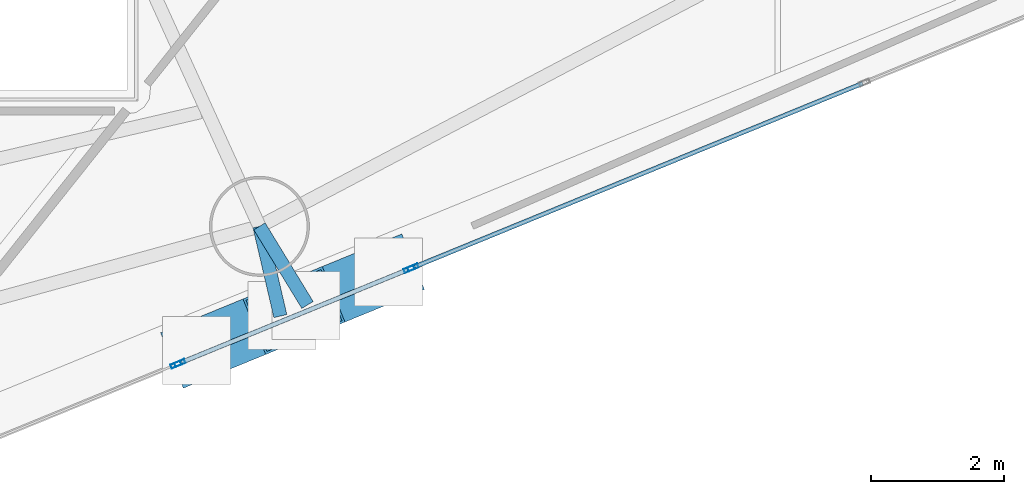
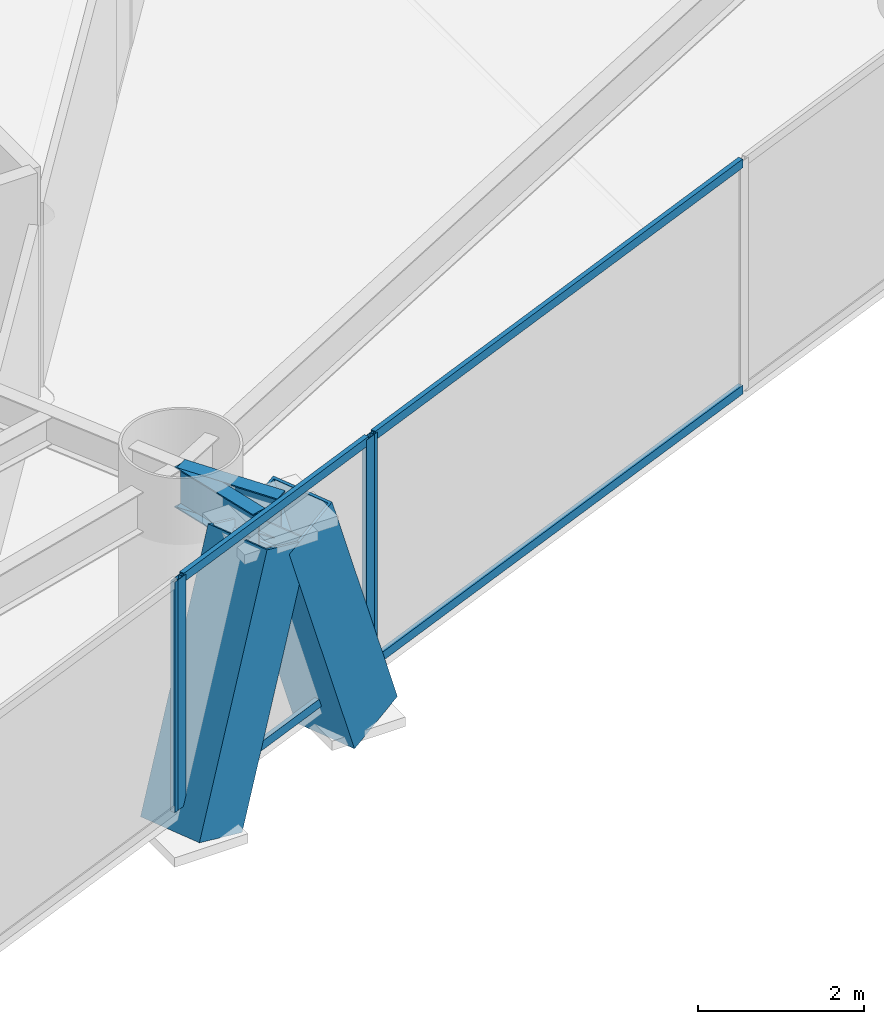
# One storey, part 4 of 22: 10 members, 2 beams, 3 elements without a shape of their own.
"""IFC4 building model written with IfcOpenShell, lengths in metres."""

import ifcopenshell
import ifcopenshell.guid

model = None  # the IFC model being written
_history = None  # IfcOwnerHistory: only IFC2X3 demands one
_inside = {}  # id of a spatial element -> (the spatial element, [elements in it])
_under = {}  # id of a project, library or spatial element -> (it, [spatial elements below it])
_declared = {}  # id of a project -> (the project, [libraries it declares])
_typed = {}  # id of a type object -> (the type object, [elements of that type])
_made_of = {}  # id of a material, layer set ... -> (it, [elements and type objects made of it])


def new_model(schema):
    """Start an empty IFC model of exactly this schema.

    Asked for "IFC4X3", IfcOpenShell would pick the latest addendum, in which some entities
    have other attributes; the version numbers below select the first issue.
    IFC2X3 requires an IfcOwnerHistory on every rooted entity: one is made here for all.
    """
    global model, _history
    if schema == "IFC4X3":
        model = ifcopenshell.file(schema_version=(4, 3, 0, 0))
    else:
        model = ifcopenshell.file(schema=schema)
    _inside.clear()
    _under.clear()
    _declared.clear()
    _typed.clear()
    _made_of.clear()
    _history = None
    if model.schema == "IFC2X3":
        org = make("IfcOrganization", Name="unknown")
        user = make(
            "IfcPersonAndOrganization",
            ThePerson=make("IfcPerson", FamilyName="unknown"),
            TheOrganization=org,
        )
        app = make(
            "IfcApplication",
            ApplicationDeveloper=org,
            Version="unknown",
            ApplicationFullName="unknown",
            ApplicationIdentifier="unknown",
        )
        _history = make(
            "IfcOwnerHistory",
            OwningUser=user,
            OwningApplication=app,
            ChangeAction="ADDED",
            CreationDate=0,
        )
    return model


def make(cls, **values):
    """One entity of the class cls with the attributes given. An attribute that is None is left unset."""
    return model.create_entity(
        cls, **{name: value for name, value in values.items() if value is not None}
    )


def rooted(cls, **values):
    """An entity with a GlobalId (a new one), such as an element, a storey or a relation."""
    return make(cls, GlobalId=ifcopenshell.guid.new(), OwnerHistory=_history, **values)


def si_unit(unit_type, name, prefix=None):
    """IfcSIUnit, for example si_unit("LENGTHUNIT", "METRE", prefix="MILLI")."""
    return make("IfcSIUnit", UnitType=unit_type, Prefix=prefix, Name=name)


def assignment(units):
    """IfcUnitAssignment: the units of a project."""
    return None if units is None else make("IfcUnitAssignment", Units=units)


def point(xyz):
    """IfcCartesianPoint."""
    return None if xyz is None else make("IfcCartesianPoint", Coordinates=xyz)


def direction(xyz):
    """IfcDirection."""
    return None if xyz is None else make("IfcDirection", DirectionRatios=xyz)


def frame(location, z_axis=None, x_axis=None):
    """IfcAxis2Placement3D, a coordinate frame: its origin and axes. An axis left out is left unset."""
    return make(
        "IfcAxis2Placement3D",
        Location=point(location),
        Axis=direction(z_axis),
        RefDirection=direction(x_axis),
    )


def frame_2d(location, x_axis=None):
    """IfcAxis2Placement2D, a coordinate frame in the plane: its origin and x axis."""
    return make(
        "IfcAxis2Placement2D", Location=point(location), RefDirection=direction(x_axis)
    )


def origin():
    """The frame at (0, 0, 0) with its axes left unset."""
    return frame((0.0, 0.0, 0.0))


def origin_2d():
    """The frame at (0, 0) in the plane with its x axis left unset."""
    return frame_2d((0.0, 0.0))


def place(relative_to, where):
    """IfcLocalPlacement: puts the frame where relative to a parent placement (None: the world)."""
    return make(
        "IfcLocalPlacement", PlacementRelTo=relative_to, RelativePlacement=where
    )


def context(
    kind, dimensions, precision=None, world=None, true_north=None, identifier=None
):
    """IfcGeometricRepresentationContext, for example the 3D "Model" context."""
    return make(
        "IfcGeometricRepresentationContext",
        ContextIdentifier=identifier,
        ContextType=kind,
        CoordinateSpaceDimension=dimensions,
        Precision=precision,
        WorldCoordinateSystem=world,
        TrueNorth=true_north,
    )


def subcontext(parent, identifier, kind, view, scale=None):
    """IfcGeometricRepresentationSubContext, for example "Body" below "Model"."""
    return make(
        "IfcGeometricRepresentationSubContext",
        ContextIdentifier=identifier,
        ContextType=kind,
        ParentContext=parent,
        TargetScale=scale,
        TargetView=view,
    )


def project(units=None, contexts=None):
    """IfcProject with its units and contexts."""
    return rooted(
        "IfcProject",
        Name="project",
        RepresentationContexts=contexts,
        UnitsInContext=assignment(units),
    )


def spatial(cls, under=None, at=None, **own):
    """A site, building, storey or space (cls), placed at a placement, below another one or the project."""
    s = rooted(cls, ObjectPlacement=at, **own)
    if under is not None:
        _under.setdefault(under.id(), (under, []))[1].append(s)
    return s


def profile(cls, at=None, kind="AREA", **sizes):
    """A parametric profile (cls). Its sizes go by their IFC names, for example OverallWidth=200.0."""
    return make(cls, ProfileType=kind, Position=at, **sizes)


def hollow_rectangle(**sizes):
    """IfcRectangleHollowProfileDef."""
    return profile("IfcRectangleHollowProfileDef", **sizes)


def i_section(**sizes):
    """IfcIShapeProfileDef."""
    return profile("IfcIShapeProfileDef", **sizes)


def extrude(swept, where, along, depth):
    """IfcExtrudedAreaSolid: the profile swept, set in the frame where, extruded along a direction by depth."""
    return make(
        "IfcExtrudedAreaSolid",
        SweptArea=swept,
        Position=where,
        ExtrudedDirection=direction(along),
        Depth=depth,
    )


def shape(context_of_items, identifier, shape_type, items):
    """IfcShapeRepresentation: the items that make up one representation, for example the "Body"."""
    return make(
        "IfcShapeRepresentation",
        ContextOfItems=context_of_items,
        RepresentationIdentifier=identifier,
        RepresentationType=shape_type,
        Items=items,
    )


def material(Name=None, Category=None):
    """IfcMaterial."""
    return make("IfcMaterial", Name=Name, Category=Category)


def layer(
    of_material, thickness, ventilated=None, Name=None, Category=None, Priority=None
):
    """IfcMaterialLayer: one layer of a wall or slab, of a material (None: an air gap)."""
    return make(
        "IfcMaterialLayer",
        Material=of_material,
        LayerThickness=thickness,
        IsVentilated=ventilated,
        Name=Name,
        Category=Category,
        Priority=Priority,
    )


def layer_set(layers, Name=None):
    """IfcMaterialLayerSet."""
    return make("IfcMaterialLayerSet", MaterialLayers=layers, LayerSetName=Name)


def material_profile(
    of_material, cross_section, Name=None, Category=None, Priority=None
):
    """IfcMaterialProfile: a cross section and its material."""
    return make(
        "IfcMaterialProfile",
        Name=Name,
        Material=of_material,
        Profile=cross_section,
        Priority=Priority,
        Category=Category,
    )


def profile_set(profiles, Name=None, composite=None):
    """IfcMaterialProfileSet."""
    return make(
        "IfcMaterialProfileSet",
        Name=Name,
        MaterialProfiles=profiles,
        CompositeProfile=composite,
    )


def made_of(thing, what):
    """Note that an element or type object is made of a material, layer set ...; save() writes the relation."""
    if what is not None:
        _made_of.setdefault(what.id(), (what, []))[1].append(thing)
    return thing


def type_object(cls, material=None, **own):
    """A type object (cls), such as IfcWallType, which elements share."""
    return made_of(rooted(cls, **own), material)


def element(
    cls,
    number,
    at=None,
    inside=None,
    cuts=None,
    type_object=None,
    material=None,
    context=None,
    identifier="Body",
    shape_type=None,
    held_by="IfcProductDefinitionShape",
    body=None,
    shapes=None,
    **own,
):
    """One element of the class cls, such as IfcWall. Its Tag is "e" and its number.

    at: its placement. inside: the storey or other place that contains it. cuts: it is an
    opening in that element (IfcRelVoidsElement). A single representation is given by context,
    identifier, shape_type and body (its items); several are given by shapes. held_by: the class
    of the entity that holds the representations. save() writes the other relations.
    """
    e = rooted(cls, Tag="e%d" % number, ObjectPlacement=at, **own)
    if body is not None:
        shapes = [shape(context, identifier, shape_type, body)]
    if shapes is not None:
        e.Representation = make(held_by, Representations=shapes)
    if inside is not None:
        _inside.setdefault(inside.id(), (inside, []))[1].append(e)
    if cuts is not None:
        rooted(
            "IfcRelVoidsElement", RelatingBuildingElement=cuts, RelatedOpeningElement=e
        )
    if type_object is not None:
        _typed.setdefault(type_object.id(), (type_object, []))[1].append(e)
    return made_of(e, material)


def aggregate(whole, parts):
    """IfcRelAggregates: a whole, such as a stair, and the parts it consists of."""
    return rooted("IfcRelAggregates", RelatingObject=whole, RelatedObjects=parts)


def save(model, path):
    """Write the relations noted so far, then the file.

    IfcRelAggregates (storeys below a building ...), IfcRelContainedInSpatialStructure (elements
    in a storey), IfcRelDefinesByType, IfcRelAssociatesMaterial and IfcRelDeclares: one each for
    every whole, place, type object, material and project.
    """
    for whole, parts in _under.values():
        aggregate(whole, parts)
    for where, things in _inside.values():
        rooted(
            "IfcRelContainedInSpatialStructure",
            RelatedElements=things,
            RelatingStructure=where,
        )
    for kind, things in _typed.values():
        rooted("IfcRelDefinesByType", RelatedObjects=things, RelatingType=kind)
    for what, things in _made_of.values():
        rooted("IfcRelAssociatesMaterial", RelatedObjects=things, RelatingMaterial=what)
    for by, libraries in _declared.values():
        rooted("IfcRelDeclares", RelatingContext=by, RelatedDefinitions=libraries)
    model.write(path)


model = new_model("IFC4")

# Units and contexts
model_context = context("Model", 3, precision=1e-05, world=origin(), true_north=direction((0.0, 1.0)))
body_context = subcontext(model_context, "Body", "Model", "MODEL_VIEW")
ifc_project = project(units=[si_unit("LENGTHUNIT", "METRE"), si_unit("AREAUNIT", "SQUARE_METRE"), si_unit("VOLUMEUNIT", "CUBIC_METRE"), si_unit("PLANEANGLEUNIT", "RADIAN"), si_unit("MASSUNIT", "GRAM", prefix="KILO")], contexts=[model_context])

# Site, building, storey
site_placement = place(None, origin())
site = spatial("IfcSite", under=ifc_project, at=site_placement, CompositionType="ELEMENT")
building_placement = place(site_placement, origin())
building = spatial("IfcBuilding", under=site, at=building_placement, Name="Qianvela Tower", CompositionType="ELEMENT")
storey_placement = place(building_placement, frame((0.0, 0.0, 134.800048828125)))
storey = spatial("IfcBuildingStorey", under=building, at=storey_placement, Name="L34", CompositionType="ELEMENT", Elevation=134.800048828125)

# Beams
ifc_material_1 = material(Name="Steel Q355B", Category="steel")
ifc_material_profile_1 = material_profile(ifc_material_1, i_section(OverallWidth=0.199951171875, OverallDepth=0.60009765625, WebThickness=0.010986328125, FlangeThickness=0.01708984375, at=origin_2d()), Name="HN600x200x11x17")
ifc_profile_set_1 = profile_set([ifc_material_profile_1], Name="Steel Q355B")
beam_type = type_object("IfcBeamType", Name="BM-HN600-GIRD", PredefinedType="BEAM", material=ifc_profile_set_1)
for number, where, z_axis, x_axis, name in (
    (1, (41.988037109375, 15.95703125, 3.097900390625), (0.226833086201, -0.973933648153, 0.0), (0.973933648153, 0.226833086201, 0.0), "L34 Mega-Brace Column Tie Bracket F3-1"),
    (2, (41.988037109375, 15.95703125, 3.097900390625), (0.521492882971, -0.85325563169, 0.0), (0.85325563169, 0.521492882971, 0.0), "L34 Mega-Brace Column Tie Bracket F3-2"),
):
    element("IfcBeam", number, at=place(storey_placement, frame(where, z_axis=z_axis, x_axis=x_axis)), inside=storey, type_object=beam_type, Name=name, PredefinedType="BEAM", context=body_context, shape_type="SweptSolid", body=[
        extrude(i_section(OverallWidth=0.199951171875, OverallDepth=0.60009765625, WebThickness=0.010986328125, FlangeThickness=0.01708984375, at=origin_2d()), origin(), (0.0, 0.0, 1.0), 1.382080078125),
    ])

# Curtain wall, members
ifc_material_2 = material(Name="Anodised Architectural Aluminium and Insulated Spandrel Panel", Category="aluminium")
ifc_layer_1 = layer(ifc_material_2, 0.179931640625)
ifc_layer_set_1 = layer_set([ifc_layer_1], Name="Anodised Architectural Aluminium and Insulated Spandrel Panel")
curtain_wall_type_1 = type_object("IfcCurtainWallType", Name="CW-BRACEBAY", PredefinedType="USERDEFINED", material=ifc_layer_set_1)
curtain_wall_1_placement = place(storey_placement, origin())
curtain_wall_1 = element("IfcCurtainWall", 3, at=curtain_wall_1_placement, inside=storey, type_object=curtain_wall_type_1, Name="L34 CW-BRACEBAY Curtain Wall 06B", ObjectType="CURTAIN_WALL_SYSTEM", PredefinedType="USERDEFINED")
ifc_material_3 = material(Name="Anodised Architectural Aluminium 6063-T6", Category="aluminium")
ifc_material_profile_2 = material_profile(ifc_material_3, hollow_rectangle(XDim=0.06494140625, YDim=0.159912109375, WallThickness=0.0048828125, at=origin_2d()), Name="ALU-MULL-65x160")
ifc_profile_set_2 = profile_set([ifc_material_profile_2], Name="Anodised Architectural Aluminium 6063-T6")
member_type_1 = type_object("IfcMemberType", Name="CW-BRACEBAY-MULL", PredefinedType="MULLION", material=ifc_profile_set_2)
member_1_placement = place(storey_placement, frame((40.794677734375, 13.9072265625, 0.0), z_axis=(0.0, 0.0, 1.0), x_axis=(-0.379018069883, 0.925389270903, 0.0)))
member_1 = element("IfcMember", 4, at=member_1_placement, type_object=member_type_1, Name="CW-9 mullion 1", PredefinedType="MULLION", context=body_context, shape_type="SweptSolid", body=[
    extrude(hollow_rectangle(XDim=0.06494140625, YDim=0.159912109375, WallThickness=0.0048828125, at=origin_2d()), origin(), (0.0, 0.0, 1.0), 3.39990234375),
])
member_2_placement = place(storey_placement, frame((44.232421875, 15.3154296875, 0.0), z_axis=(0.0, 0.0, 1.0), x_axis=(-0.379018069883, 0.925389270903, 0.0)))
member_2 = element("IfcMember", 5, at=member_2_placement, type_object=member_type_1, Name="CW-9 mullion 2", PredefinedType="MULLION", context=body_context, shape_type="SweptSolid", body=[
    extrude(hollow_rectangle(XDim=0.06494140625, YDim=0.159912109375, WallThickness=0.0048828125, at=origin_2d()), origin(), (0.0, 0.0, 1.0), 3.39990234375),
])
ifc_material_4 = material(Name="Anodised Architectural Aluminium 6063-T6", Category="aluminium")
ifc_material_profile_3 = material_profile(ifc_material_4, hollow_rectangle(XDim=0.06494140625, YDim=0.1298828125, WallThickness=0.00439453125, at=origin_2d()), Name="ALU-TRAN-65x130")
ifc_profile_set_3 = profile_set([ifc_material_profile_3], Name="Anodised Architectural Aluminium 6063-T6")
member_type_2 = type_object("IfcMemberType", Name="CW-BRACEBAY-TRAN", PredefinedType="USERDEFINED", material=ifc_profile_set_3)
member_3_placement = place(storey_placement, frame((40.82470703125, 13.919677734375, 0.032470703125), z_axis=(0.925400916826, 0.378989634603, 0.0), x_axis=(-0.378989634603, 0.925400916826, 0.0)))
member_3 = element("IfcMember", 6, at=member_3_placement, type_object=member_type_2, Name="CW-9 transom 1.1", ObjectType="TRANSOM", PredefinedType="USERDEFINED", context=body_context, shape_type="SweptSolid", body=[
    extrude(hollow_rectangle(XDim=0.06494140625, YDim=0.1298828125, WallThickness=0.00439453125, at=origin_2d()), origin(), (0.0, 0.0, 1.0), 3.64990234375),
])
member_4_placement = place(storey_placement, frame((40.82470703125, 13.919677734375, 3.367431640625), z_axis=(0.925400916826, 0.378989634603, 0.0), x_axis=(-0.378989634603, 0.925400916826, 0.0)))
member_4 = element("IfcMember", 7, at=member_4_placement, type_object=member_type_2, Name="CW-9 transom 1.2", ObjectType="TRANSOM", PredefinedType="USERDEFINED", context=body_context, shape_type="SweptSolid", body=[
    extrude(hollow_rectangle(XDim=0.06494140625, YDim=0.1298828125, WallThickness=0.00439453125, at=origin_2d()), origin(), (0.0, 0.0, 1.0), 3.64990234375),
])
aggregate(curtain_wall_1, [member_1, member_2, member_3, member_4])

# Curtain wall, member
ifc_material_5 = material(Name="Anodised Architectural Aluminium and Low-E Glass", Category="aluminium")
ifc_layer_2 = layer(ifc_material_5, 0.169921875)
ifc_layer_set_2 = layer_set([ifc_layer_2], Name="Anodised Architectural Aluminium and Low-E Glass")
curtain_wall_type_2 = type_object("IfcCurtainWallType", Name="CW-COLIV-Z34", PredefinedType="USERDEFINED", material=ifc_layer_set_2)
curtain_wall_2_placement = place(storey_placement, origin())
curtain_wall_2 = element("IfcCurtainWall", 8, at=curtain_wall_2_placement, inside=storey, type_object=curtain_wall_type_2, Name="L34 CW-COLIV-Z34 Curtain Wall 06A", ObjectType="CURTAIN_WALL_SYSTEM", PredefinedType="USERDEFINED")
ifc_material_6 = material(Name="Anodised Architectural Aluminium 6063-T6", Category="aluminium")
ifc_material_profile_4 = material_profile(ifc_material_6, hollow_rectangle(XDim=0.06494140625, YDim=0.159912109375, WallThickness=0.0048828125, at=origin_2d()), Name="ALU-MULL-65x160")
ifc_profile_set_4 = profile_set([ifc_material_profile_4], Name="Anodised Architectural Aluminium 6063-T6")
member_type_3 = type_object("IfcMemberType", Name="CW-COLIV-Z34-MULL", PredefinedType="MULLION", material=ifc_profile_set_4)
member_5_placement = place(storey_placement, frame((40.734375, 13.882568359375, 0.0), z_axis=(0.0, 0.0, 1.0), x_axis=(-0.379015746677, 0.925390222431, 0.0)))
member_5 = element("IfcMember", 9, at=member_5_placement, type_object=member_type_3, Name="CW-4 mullion 2", PredefinedType="MULLION", context=body_context, shape_type="SweptSolid", body=[
    extrude(hollow_rectangle(XDim=0.06494140625, YDim=0.159912109375, WallThickness=0.0048828125, at=origin_2d()), origin(), (0.0, 0.0, 1.0), 3.39990234375),
])
aggregate(curtain_wall_2, [member_5])

# Curtain wall, members
curtain_wall_3_placement = place(storey_placement, origin())
curtain_wall_3 = element("IfcCurtainWall", 10, at=curtain_wall_3_placement, inside=storey, type_object=curtain_wall_type_2, Name="L34 CW-COLIV-Z34 Curtain Wall 06C", ObjectType="CURTAIN_WALL_SYSTEM", PredefinedType="USERDEFINED")
member_6_placement = place(storey_placement, frame((44.29248046875, 15.340087890625, 0.0), z_axis=(0.0, 0.0, 1.0), x_axis=(-0.379023421912, 0.925387078817, 0.0)))
member_6 = element("IfcMember", 11, at=member_6_placement, type_object=member_type_3, Name="CW-4 mullion 1", PredefinedType="MULLION", context=body_context, shape_type="SweptSolid", body=[
    extrude(hollow_rectangle(XDim=0.06494140625, YDim=0.159912109375, WallThickness=0.0048828125, at=origin_2d()), origin(), (0.0, 0.0, 1.0), 3.39990234375),
])
ifc_material_7 = material(Name="Anodised Architectural Aluminium 6063-T6", Category="aluminium")
ifc_material_profile_5 = material_profile(ifc_material_7, hollow_rectangle(XDim=0.06494140625, YDim=0.1298828125, WallThickness=0.00439453125, at=origin_2d()), Name="ALU-TRAN-65x130")
ifc_profile_set_5 = profile_set([ifc_material_profile_5], Name="Anodised Architectural Aluminium 6063-T6")
member_type_4 = type_object("IfcMemberType", Name="CW-COLIV-Z34-TRAN", PredefinedType="USERDEFINED", material=ifc_profile_set_5)
member_7_placement = place(storey_placement, frame((44.32275390625, 15.352294921875, 0.032470703125), z_axis=(0.925386042087, 0.379025953083, 0.0), x_axis=(-0.379025953083, 0.925386042087, 0.0)))
member_7 = element("IfcMember", 12, at=member_7_placement, type_object=member_type_4, Name="CW-4 transom 1.1", ObjectType="TRANSOM", PredefinedType="USERDEFINED", context=body_context, shape_type="SweptSolid", body=[
    extrude(hollow_rectangle(XDim=0.06494140625, YDim=0.1298828125, WallThickness=0.00439453125, at=origin_2d()), origin(), (0.0, 0.0, 1.0), 7.254150390625),
])
member_8_placement = place(storey_placement, frame((44.32275390625, 15.352294921875, 3.367431640625), z_axis=(0.925386042087, 0.379025953083, 0.0), x_axis=(-0.379025953083, 0.925386042087, 0.0)))
member_8 = element("IfcMember", 13, at=member_8_placement, type_object=member_type_4, Name="CW-4 transom 1.2", ObjectType="TRANSOM", PredefinedType="USERDEFINED", context=body_context, shape_type="SweptSolid", body=[
    extrude(hollow_rectangle(XDim=0.06494140625, YDim=0.1298828125, WallThickness=0.00439453125, at=origin_2d()), origin(), (0.0, 0.0, 1.0), 7.254150390625),
])
aggregate(curtain_wall_3, [member_6, member_7, member_8])

# Members
ifc_material_8 = material(Name="Steel Q420GJC", Category="steel")
ifc_material_profile_6 = material_profile(ifc_material_8, hollow_rectangle(XDim=0.89990234375, YDim=0.89990234375, WallThickness=0.035888671875, at=origin_2d()), Name="MBOX-900x900x36")
ifc_profile_set_6 = profile_set([ifc_material_profile_6], Name="Steel Q420GJC")
member_type_5 = type_object("IfcMemberType", Name="MBR-MBRACE-900", PredefinedType="BRACE", material=ifc_profile_set_6)
member_9_placement = place(storey_placement, frame((41.065185546875, 14.1044921875, -0.48193359375), z_axis=(0.323557937642, 0.132579526186, 0.936874020467), x_axis=(-0.379159298018, 0.925331414536, 0.0)))
element("IfcMember", 14, at=member_9_placement, inside=storey, type_object=member_type_5, Name="L34 Tier 5 Exterior Mega-Brace F3A", PredefinedType="BRACE", context=body_context, shape_type="SweptSolid", body=[
    extrude(hollow_rectangle(XDim=0.89990234375, YDim=0.89990234375, WallThickness=0.035888671875, at=origin_2d()), origin(), (0.0, 0.0, 1.0), 3.821044921875),
])
member_10_placement = place(storey_placement, frame((43.901123046875, 15.26611328125, -0.48193359375), z_axis=(-0.31340095821, -0.128337820725, 0.940908732643), x_axis=(0.378957451469, -0.925414096487, 0.0)))
element("IfcMember", 15, at=member_10_placement, inside=storey, type_object=member_type_5, Name="L34 Tier 5 Exterior Mega-Brace F3B", PredefinedType="BRACE", context=body_context, shape_type="SweptSolid", body=[
    extrude(hollow_rectangle(XDim=0.89990234375, YDim=0.89990234375, WallThickness=0.035888671875, at=origin_2d()), origin(), (0.0, 0.0, 1.0), 3.8046875),
])

save(model, "model.ifc")
